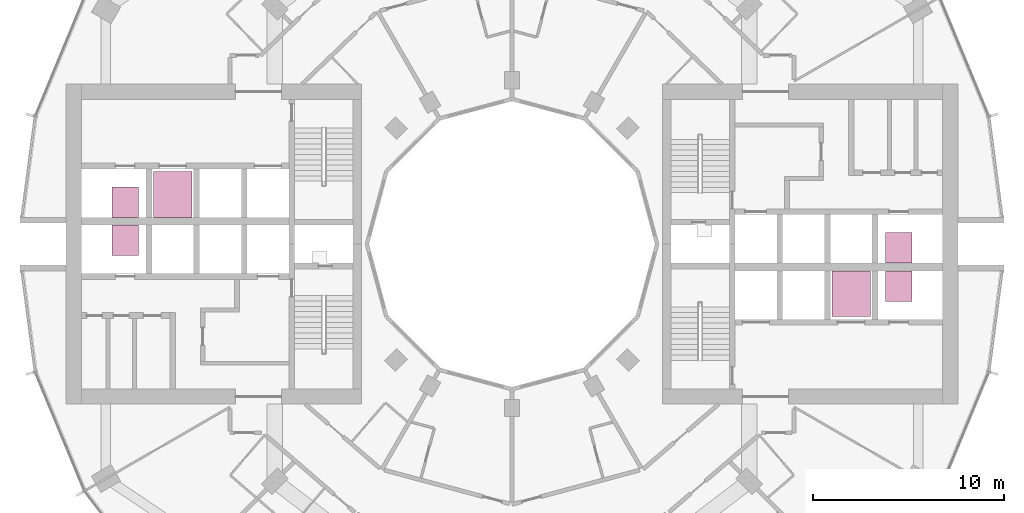
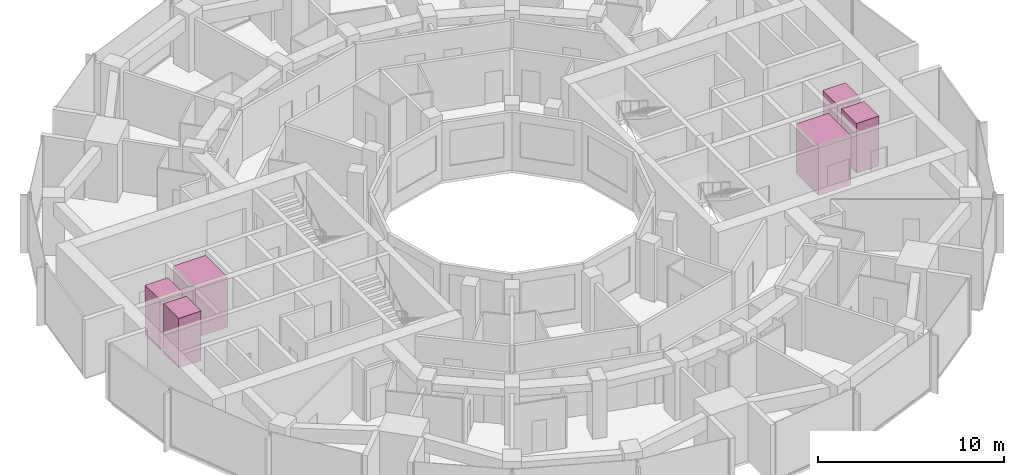
# One storey, part 15 of 15: 6 transport elements.
"""IFC4 building model written with IfcOpenShell, lengths in metres."""

from ifc_helpers import new_model, si_unit, direction, frame, origin, origin_2d, place, context, subcontext, project, spatial, rectangle, extrude, material, type_object, element, save


model = new_model("IFC4")

# Units and contexts
model_context = context("Model", 3, precision=1e-05, world=origin(), true_north=direction((0.0, 1.0)))
body_context = subcontext(model_context, "Body", "Model", "MODEL_VIEW")
ifc_project = project(units=[si_unit("LENGTHUNIT", "METRE"), si_unit("AREAUNIT", "SQUARE_METRE"), si_unit("VOLUMEUNIT", "CUBIC_METRE"), si_unit("PLANEANGLEUNIT", "RADIAN"), si_unit("MASSUNIT", "GRAM", prefix="KILO")], contexts=[model_context])

# Site, building, storey
site_placement = place(None, origin())
site = spatial("IfcSite", under=ifc_project, at=site_placement, CompositionType="ELEMENT")
building_placement = place(site_placement, origin())
building = spatial("IfcBuilding", under=site, at=building_placement, Name="Torre Brocal", CompositionType="ELEMENT")
storey_placement = place(building_placement, frame((0.0, 0.0, 36.39990234375)))
storey = spatial("IfcBuildingStorey", under=building, at=storey_placement, Name="L07", CompositionType="ELEMENT", Elevation=36.39990234375)

# Transport elements
ifc_material_1 = material(Name="Stainless steel AISI 316", Category="steel")
transport_element_type_1 = type_object("IfcTransportElementType", Name="PASSENGER LIFT 2000", PredefinedType="ELEVATOR", material=ifc_material_1)
for number, where, z_axis, x_axis, name in (
    (1, (97.800048828125, 72.39990234375, 0.0), (0.0, 0.0, 1.0), (1.0, 0.0, 0.0), "LOW RISE LIFT E-LR2"),
    (2, (62.199951171875, 77.60009765625, 0.0), (0.0, 0.0, 1.0), (1.0, 0.0, 0.0), "LOW RISE LIFT W-LR2"),
):
    element("IfcTransportElement", number, at=place(storey_placement, frame(where, z_axis=z_axis, x_axis=x_axis)), inside=storey, type_object=transport_element_type_1, Name=name, PredefinedType="ELEVATOR", context=body_context, shape_type="SweptSolid", body=[
        extrude(rectangle(XDim=2.0, YDim=2.39990234375, at=origin_2d()), origin(), (0.0, 0.0, 1.0), 3.25),
    ])
ifc_material_2 = material(Name="Stainless steel AISI 316", Category="steel")
transport_element_type_2 = type_object("IfcTransportElementType", Name="PASSENGER LIFT 900", PredefinedType="ELEVATOR", material=ifc_material_2)
for number, where, z_axis, x_axis, name in (
    (3, (100.300048828125, 74.800048828125, 0.0), (0.0, 0.0, 1.0), (1.0, 0.0, 0.0), "LOW RISE LIFT E-LR1"),
    (4, (100.300048828125, 72.800048828125, 0.0), (0.0, 0.0, 1.0), (1.0, 0.0, 0.0), "LOW RISE LIFT E-LR3"),
    (5, (59.699951171875, 75.199951171875, 0.0), (0.0, 0.0, 1.0), (1.0, 0.0, 0.0), "LOW RISE LIFT W-LR1"),
    (6, (59.699951171875, 77.199951171875, 0.0), (0.0, 0.0, 1.0), (1.0, 0.0, 0.0), "LOW RISE LIFT W-LR3"),
):
    element("IfcTransportElement", number, at=place(storey_placement, frame(where, z_axis=z_axis, x_axis=x_axis)), inside=storey, type_object=transport_element_type_2, Name=name, PredefinedType="ELEVATOR", context=body_context, shape_type="SweptSolid", body=[
        extrude(rectangle(XDim=1.39990234375, YDim=1.60009765625, at=origin_2d()), origin(), (0.0, 0.0, 1.0), 3.25),
    ])

save(model, "model.ifc")
